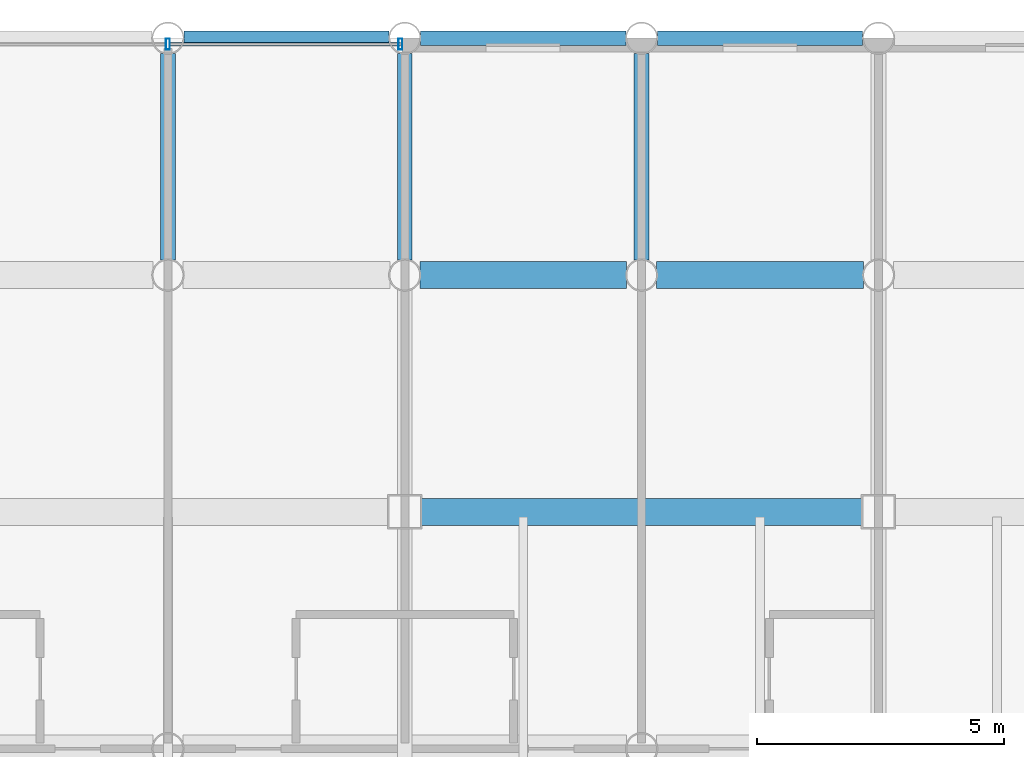
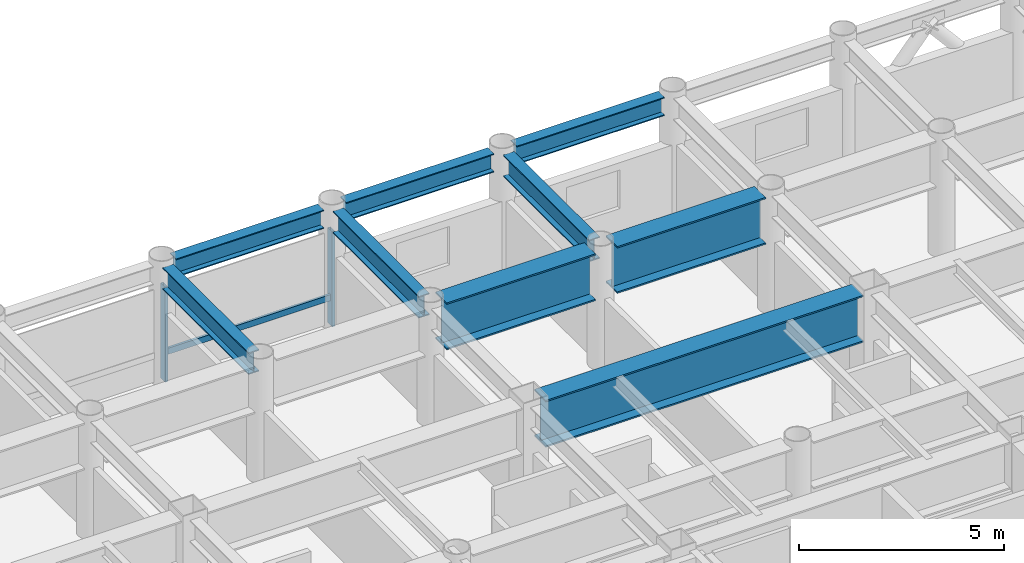
# One storey, part 13 of 23: 9 beams, 3 members, 1 element without a shape of its own.
"""IFC4 building model written with IfcOpenShell, lengths in metres."""

import ifcopenshell
import ifcopenshell.guid

model = None  # the IFC model being written
_history = None  # IfcOwnerHistory: only IFC2X3 demands one
_inside = {}  # id of a spatial element -> (the spatial element, [elements in it])
_under = {}  # id of a project, library or spatial element -> (it, [spatial elements below it])
_declared = {}  # id of a project -> (the project, [libraries it declares])
_typed = {}  # id of a type object -> (the type object, [elements of that type])
_made_of = {}  # id of a material, layer set ... -> (it, [elements and type objects made of it])


def new_model(schema):
    """Start an empty IFC model of exactly this schema.

    Asked for "IFC4X3", IfcOpenShell would pick the latest addendum, in which some entities
    have other attributes; the version numbers below select the first issue.
    IFC2X3 requires an IfcOwnerHistory on every rooted entity: one is made here for all.
    """
    global model, _history
    if schema == "IFC4X3":
        model = ifcopenshell.file(schema_version=(4, 3, 0, 0))
    else:
        model = ifcopenshell.file(schema=schema)
    _inside.clear()
    _under.clear()
    _declared.clear()
    _typed.clear()
    _made_of.clear()
    _history = None
    if model.schema == "IFC2X3":
        org = make("IfcOrganization", Name="unknown")
        user = make(
            "IfcPersonAndOrganization",
            ThePerson=make("IfcPerson", FamilyName="unknown"),
            TheOrganization=org,
        )
        app = make(
            "IfcApplication",
            ApplicationDeveloper=org,
            Version="unknown",
            ApplicationFullName="unknown",
            ApplicationIdentifier="unknown",
        )
        _history = make(
            "IfcOwnerHistory",
            OwningUser=user,
            OwningApplication=app,
            ChangeAction="ADDED",
            CreationDate=0,
        )
    return model


def make(cls, **values):
    """One entity of the class cls with the attributes given. An attribute that is None is left unset."""
    return model.create_entity(
        cls, **{name: value for name, value in values.items() if value is not None}
    )


def rooted(cls, **values):
    """An entity with a GlobalId (a new one), such as an element, a storey or a relation."""
    return make(cls, GlobalId=ifcopenshell.guid.new(), OwnerHistory=_history, **values)


def si_unit(unit_type, name, prefix=None):
    """IfcSIUnit, for example si_unit("LENGTHUNIT", "METRE", prefix="MILLI")."""
    return make("IfcSIUnit", UnitType=unit_type, Prefix=prefix, Name=name)


def assignment(units):
    """IfcUnitAssignment: the units of a project."""
    return None if units is None else make("IfcUnitAssignment", Units=units)


def point(xyz):
    """IfcCartesianPoint."""
    return None if xyz is None else make("IfcCartesianPoint", Coordinates=xyz)


def direction(xyz):
    """IfcDirection."""
    return None if xyz is None else make("IfcDirection", DirectionRatios=xyz)


def frame(location, z_axis=None, x_axis=None):
    """IfcAxis2Placement3D, a coordinate frame: its origin and axes. An axis left out is left unset."""
    return make(
        "IfcAxis2Placement3D",
        Location=point(location),
        Axis=direction(z_axis),
        RefDirection=direction(x_axis),
    )


def frame_2d(location, x_axis=None):
    """IfcAxis2Placement2D, a coordinate frame in the plane: its origin and x axis."""
    return make(
        "IfcAxis2Placement2D", Location=point(location), RefDirection=direction(x_axis)
    )


def origin():
    """The frame at (0, 0, 0) with its axes left unset."""
    return frame((0.0, 0.0, 0.0))


def origin_2d():
    """The frame at (0, 0) in the plane with its x axis left unset."""
    return frame_2d((0.0, 0.0))


def place(relative_to, where):
    """IfcLocalPlacement: puts the frame where relative to a parent placement (None: the world)."""
    return make(
        "IfcLocalPlacement", PlacementRelTo=relative_to, RelativePlacement=where
    )


def context(
    kind, dimensions, precision=None, world=None, true_north=None, identifier=None
):
    """IfcGeometricRepresentationContext, for example the 3D "Model" context."""
    return make(
        "IfcGeometricRepresentationContext",
        ContextIdentifier=identifier,
        ContextType=kind,
        CoordinateSpaceDimension=dimensions,
        Precision=precision,
        WorldCoordinateSystem=world,
        TrueNorth=true_north,
    )


def subcontext(parent, identifier, kind, view, scale=None):
    """IfcGeometricRepresentationSubContext, for example "Body" below "Model"."""
    return make(
        "IfcGeometricRepresentationSubContext",
        ContextIdentifier=identifier,
        ContextType=kind,
        ParentContext=parent,
        TargetScale=scale,
        TargetView=view,
    )


def project(units=None, contexts=None):
    """IfcProject with its units and contexts."""
    return rooted(
        "IfcProject",
        Name="project",
        RepresentationContexts=contexts,
        UnitsInContext=assignment(units),
    )


def spatial(cls, under=None, at=None, **own):
    """A site, building, storey or space (cls), placed at a placement, below another one or the project."""
    s = rooted(cls, ObjectPlacement=at, **own)
    if under is not None:
        _under.setdefault(under.id(), (under, []))[1].append(s)
    return s


def profile(cls, at=None, kind="AREA", **sizes):
    """A parametric profile (cls). Its sizes go by their IFC names, for example OverallWidth=200.0."""
    return make(cls, ProfileType=kind, Position=at, **sizes)


def hollow_rectangle(**sizes):
    """IfcRectangleHollowProfileDef."""
    return profile("IfcRectangleHollowProfileDef", **sizes)


def i_section(**sizes):
    """IfcIShapeProfileDef."""
    return profile("IfcIShapeProfileDef", **sizes)


def extrude(swept, where, along, depth):
    """IfcExtrudedAreaSolid: the profile swept, set in the frame where, extruded along a direction by depth."""
    return make(
        "IfcExtrudedAreaSolid",
        SweptArea=swept,
        Position=where,
        ExtrudedDirection=direction(along),
        Depth=depth,
    )


def shape(context_of_items, identifier, shape_type, items):
    """IfcShapeRepresentation: the items that make up one representation, for example the "Body"."""
    return make(
        "IfcShapeRepresentation",
        ContextOfItems=context_of_items,
        RepresentationIdentifier=identifier,
        RepresentationType=shape_type,
        Items=items,
    )


def material(Name=None, Category=None):
    """IfcMaterial."""
    return make("IfcMaterial", Name=Name, Category=Category)


def layer(
    of_material, thickness, ventilated=None, Name=None, Category=None, Priority=None
):
    """IfcMaterialLayer: one layer of a wall or slab, of a material (None: an air gap)."""
    return make(
        "IfcMaterialLayer",
        Material=of_material,
        LayerThickness=thickness,
        IsVentilated=ventilated,
        Name=Name,
        Category=Category,
        Priority=Priority,
    )


def layer_set(layers, Name=None):
    """IfcMaterialLayerSet."""
    return make("IfcMaterialLayerSet", MaterialLayers=layers, LayerSetName=Name)


def material_profile(
    of_material, cross_section, Name=None, Category=None, Priority=None
):
    """IfcMaterialProfile: a cross section and its material."""
    return make(
        "IfcMaterialProfile",
        Name=Name,
        Material=of_material,
        Profile=cross_section,
        Priority=Priority,
        Category=Category,
    )


def profile_set(profiles, Name=None, composite=None):
    """IfcMaterialProfileSet."""
    return make(
        "IfcMaterialProfileSet",
        Name=Name,
        MaterialProfiles=profiles,
        CompositeProfile=composite,
    )


def made_of(thing, what):
    """Note that an element or type object is made of a material, layer set ...; save() writes the relation."""
    if what is not None:
        _made_of.setdefault(what.id(), (what, []))[1].append(thing)
    return thing


def type_object(cls, material=None, **own):
    """A type object (cls), such as IfcWallType, which elements share."""
    return made_of(rooted(cls, **own), material)


def element(
    cls,
    number,
    at=None,
    inside=None,
    cuts=None,
    type_object=None,
    material=None,
    context=None,
    identifier="Body",
    shape_type=None,
    held_by="IfcProductDefinitionShape",
    body=None,
    shapes=None,
    **own,
):
    """One element of the class cls, such as IfcWall. Its Tag is "e" and its number.

    at: its placement. inside: the storey or other place that contains it. cuts: it is an
    opening in that element (IfcRelVoidsElement). A single representation is given by context,
    identifier, shape_type and body (its items); several are given by shapes. held_by: the class
    of the entity that holds the representations. save() writes the other relations.
    """
    e = rooted(cls, Tag="e%d" % number, ObjectPlacement=at, **own)
    if body is not None:
        shapes = [shape(context, identifier, shape_type, body)]
    if shapes is not None:
        e.Representation = make(held_by, Representations=shapes)
    if inside is not None:
        _inside.setdefault(inside.id(), (inside, []))[1].append(e)
    if cuts is not None:
        rooted(
            "IfcRelVoidsElement", RelatingBuildingElement=cuts, RelatedOpeningElement=e
        )
    if type_object is not None:
        _typed.setdefault(type_object.id(), (type_object, []))[1].append(e)
    return made_of(e, material)


def aggregate(whole, parts):
    """IfcRelAggregates: a whole, such as a stair, and the parts it consists of."""
    return rooted("IfcRelAggregates", RelatingObject=whole, RelatedObjects=parts)


def save(model, path):
    """Write the relations noted so far, then the file.

    IfcRelAggregates (storeys below a building ...), IfcRelContainedInSpatialStructure (elements
    in a storey), IfcRelDefinesByType, IfcRelAssociatesMaterial and IfcRelDeclares: one each for
    every whole, place, type object, material and project.
    """
    for whole, parts in _under.values():
        aggregate(whole, parts)
    for where, things in _inside.values():
        rooted(
            "IfcRelContainedInSpatialStructure",
            RelatedElements=things,
            RelatingStructure=where,
        )
    for kind, things in _typed.values():
        rooted("IfcRelDefinesByType", RelatedObjects=things, RelatingType=kind)
    for what, things in _made_of.values():
        rooted("IfcRelAssociatesMaterial", RelatedObjects=things, RelatingMaterial=what)
    for by, libraries in _declared.values():
        rooted("IfcRelDeclares", RelatingContext=by, RelatedDefinitions=libraries)
    model.write(path)


model = new_model("IFC4")

# Units and contexts
model_context = context("Model", 3, precision=1e-05, world=origin(), true_north=direction((0.0, 1.0)))
body_context = subcontext(model_context, "Body", "Model", "MODEL_VIEW")
ifc_project = project(units=[si_unit("LENGTHUNIT", "METRE"), si_unit("AREAUNIT", "SQUARE_METRE"), si_unit("VOLUMEUNIT", "CUBIC_METRE"), si_unit("PLANEANGLEUNIT", "RADIAN"), si_unit("MASSUNIT", "GRAM", prefix="KILO")], contexts=[model_context])

# Site, building, storey
site_placement = place(None, origin())
site = spatial("IfcSite", under=ifc_project, at=site_placement, CompositionType="ELEMENT")
building_placement = place(site_placement, origin())
building = spatial("IfcBuilding", under=site, at=building_placement, Name="Kallvorn Hotel Tower", CompositionType="ELEMENT")
storey_placement = place(building_placement, frame((0.0, 0.0, 124.800048828125)))
storey = spatial("IfcBuildingStorey", under=building, at=storey_placement, Name="L30", CompositionType="ELEMENT", Elevation=124.800048828125)

# Beams
ifc_material_1 = material(Name="Structural steel S355JR", Category="steel")
ifc_material_profile_1 = material_profile(ifc_material_1, i_section(OverallWidth=0.300048828125, OverallDepth=0.550048828125, WebThickness=0.014892578125, FlangeThickness=0.029052734375, at=origin_2d()), Name="HE 550 B")
ifc_profile_set_1 = profile_set([ifc_material_profile_1], Name="Structural steel S355JR")
beam_type_1 = type_object("IfcBeamType", Name="BM_HE550B", PredefinedType="SPANDREL", material=ifc_profile_set_1)
for number, where, z_axis, x_axis, name in (
    (1, (0.320068359375, 24.0, 3.244873046875), (1.0, 0.0, 0.0), (0.0, 1.0, 0.0), "L31 Perimeter Spandrel 169"),
    (2, (5.1201171875, 24.0, 3.244873046875), (1.0, 0.0, 0.0), (0.0, 1.0, 0.0), "L31 Perimeter Spandrel 170"),
):
    element("IfcBeam", number, at=place(storey_placement, frame(where, z_axis=z_axis, x_axis=x_axis)), inside=storey, type_object=beam_type_1, Name=name, PredefinedType="SPANDREL", context=body_context, shape_type="SweptSolid", body=[
        extrude(i_section(OverallWidth=0.300048828125, OverallDepth=0.550048828125, WebThickness=0.014892578125, FlangeThickness=0.029052734375, at=origin_2d()), origin(), (0.0, 0.0, 1.0), 4.159912109375),
    ])
beam_1_placement = place(storey_placement, frame((9.919921875, 24.0, 3.244873046875), z_axis=(1.0, 0.0, 0.0), x_axis=(0.0, 1.0, 0.0)))
element("IfcBeam", 3, at=beam_1_placement, inside=storey, type_object=beam_type_1, Name="L31 Perimeter Spandrel 171", PredefinedType="SPANDREL", context=body_context, shape_type="SweptSolid", body=[
    extrude(i_section(OverallWidth=0.300048828125, OverallDepth=0.550048828125, WebThickness=0.014892578125, FlangeThickness=0.029052734375, at=origin_2d()), origin(), (0.0, 0.0, 1.0), 4.16015625),
])
ifc_material_2 = material(Name="Structural steel S355JR", Category="steel")
ifc_material_profile_2 = material_profile(ifc_material_2, i_section(OverallWidth=0.300048828125, OverallDepth=0.64990234375, WebThickness=0.01611328125, FlangeThickness=0.031005859375, at=origin_2d()), Name="HE 650 B")
ifc_profile_set_2 = profile_set([ifc_material_profile_2], Name="Structural steel S355JR")
beam_type_2 = type_object("IfcBeamType", Name="BM_HE650B", PredefinedType="BEAM", material=ifc_profile_set_2)
for number, where, z_axis, x_axis, name in (
    (4, (0.0, 19.5048828125, 3.195068359375), (0.0, 1.0, 0.0), (-1.0, 0.0, 0.0), "L31 Primary Y-Girder 113"),
    (5, (4.800048828125, 19.5048828125, 3.195068359375), (0.0, 1.0, 0.0), (-1.0, 0.0, 0.0), "L31 Primary Y-Girder 118"),
    (6, (9.60009765625, 19.5048828125, 3.195068359375), (0.0, 1.0, 0.0), (-1.0, 0.0, 0.0), "L31 Primary Y-Girder 121"),
):
    element("IfcBeam", number, at=place(storey_placement, frame(where, z_axis=z_axis, x_axis=x_axis)), inside=storey, type_object=beam_type_2, Name=name, PredefinedType="BEAM", context=body_context, shape_type="SweptSolid", body=[
        extrude(i_section(OverallWidth=0.300048828125, OverallDepth=0.64990234375, WebThickness=0.01611328125, FlangeThickness=0.031005859375, at=origin_2d()), origin(), (0.0, 0.0, 1.0), 4.190185546875),
    ])
ifc_material_3 = material(Name="Structural steel S355JR", Category="steel")
ifc_material_profile_3 = material_profile(ifc_material_3, i_section(OverallWidth=0.550048828125, OverallDepth=1.39990234375, WebThickness=0.02490234375, FlangeThickness=0.044921875, at=origin_2d()), Name="PG 1400x550x25x45")
ifc_profile_set_3 = profile_set([ifc_material_profile_3], Name="Structural steel S355JR")
beam_type_3 = type_object("IfcBeamType", Name="BM_PG_1400", PredefinedType="BEAM", material=ifc_profile_set_3)
beam_2_placement = place(storey_placement, frame((5.125, 14.39990234375, 2.820068359375), z_axis=(1.0, 0.0, 0.0), x_axis=(0.0, 1.0, 0.0)))
element("IfcBeam", 7, at=beam_2_placement, inside=storey, type_object=beam_type_3, Name="L31 Primary X-Girder 56", PredefinedType="BEAM", context=body_context, shape_type="SweptSolid", body=[
    extrude(i_section(OverallWidth=0.550048828125, OverallDepth=1.39990234375, WebThickness=0.02490234375, FlangeThickness=0.044921875, at=origin_2d()), origin(), (0.0, 0.0, 1.0), 8.949951171875),
])
for number, where, z_axis, x_axis, name in (
    (8, (5.10498046875, 19.199951171875, 2.820068359375), (1.0, 0.0, 0.0), (0.0, 1.0, 0.0), "L31 Primary X-Girder 68"),
    (9, (9.905029296875, 19.199951171875, 2.820068359375), (1.0, 0.0, 0.0), (0.0, 1.0, 0.0), "L31 Primary X-Girder 69"),
):
    element("IfcBeam", number, at=place(storey_placement, frame(where, z_axis=z_axis, x_axis=x_axis)), inside=storey, type_object=beam_type_3, Name=name, PredefinedType="BEAM", context=body_context, shape_type="SweptSolid", body=[
        extrude(i_section(OverallWidth=0.550048828125, OverallDepth=1.39990234375, WebThickness=0.02490234375, FlangeThickness=0.044921875, at=origin_2d()), origin(), (0.0, 0.0, 1.0), 4.18994140625),
    ])

# Curtain wall, members
ifc_material_4 = material(Name="Thermally broken black-anodised aluminium AA 6063-T6", Category="aluminium")
ifc_layer = layer(ifc_material_4, 0.2099609375)
ifc_layer_set = layer_set([ifc_layer], Name="CW_SYS_4_HOTEL_MID")
curtain_wall_type = type_object("IfcCurtainWallType", Name="CW_SYS_4_HOTEL_MID", PredefinedType="USERDEFINED", material=ifc_layer_set)
curtain_wall_placement = place(storey_placement, origin())
curtain_wall = element("IfcCurtainWall", 10, at=curtain_wall_placement, inside=storey, type_object=curtain_wall_type, Name="L30 Dark-Glass Curtain Wall CW-L30-NC", ObjectType="UNITISED CURTAIN WALL", PredefinedType="USERDEFINED")
ifc_material_5 = material(Name="Thermally broken black-anodised aluminium AA 6063-T6", Category="aluminium")
ifc_material_profile_4 = material_profile(ifc_material_5, hollow_rectangle(XDim=0.080078125, YDim=0.219970703125, WallThickness=0.0048828125, at=origin_2d()), Name="MUL 220x80")
ifc_profile_set_4 = profile_set([ifc_material_profile_4], Name="Thermally broken black-anodised aluminium AA 6063-T6")
member_type_1 = type_object("IfcMemberType", Name="CW_MULLION_220x80", PredefinedType="MULLION", material=ifc_profile_set_4)
member_1_placement = place(storey_placement, frame((0.0, 23.8798828125, 0.02001953125), z_axis=(0.0, 0.0, 1.0), x_axis=(1.0, 0.0, 0.0)))
member_1 = element("IfcMember", 11, at=member_1_placement, type_object=member_type_1, Name="CW-L30-NC Mullion 01", PredefinedType="MULLION", context=body_context, shape_type="SweptSolid", body=[
    extrude(hollow_rectangle(XDim=0.080078125, YDim=0.219970703125, WallThickness=0.0048828125, at=origin_2d()), origin(), (0.0, 0.0, 1.0), 2.829833984375),
])
member_2_placement = place(storey_placement, frame((4.7099609375, 23.8798828125, 0.02001953125), z_axis=(0.0, 0.0, 1.0), x_axis=(1.0, 0.0, 0.0)))
member_2 = element("IfcMember", 12, at=member_2_placement, type_object=member_type_1, Name="CW-L30-NC Mullion 02", PredefinedType="MULLION", context=body_context, shape_type="SweptSolid", body=[
    extrude(hollow_rectangle(XDim=0.080078125, YDim=0.219970703125, WallThickness=0.0048828125, at=origin_2d()), origin(), (0.0, 0.0, 1.0), 2.829833984375),
])
ifc_material_6 = material(Name="Thermally broken black-anodised aluminium AA 6063-T6", Category="aluminium")
ifc_material_profile_5 = material_profile(ifc_material_6, hollow_rectangle(XDim=0.070068359375, YDim=0.179931640625, WallThickness=0.00390625, at=origin_2d()), Name="TRN 180x70")
ifc_profile_set_5 = profile_set([ifc_material_profile_5], Name="Thermally broken black-anodised aluminium AA 6063-T6")
member_type_2 = type_object("IfcMemberType", Name="CW_TRANSOM_180x70", PredefinedType="USERDEFINED", material=ifc_profile_set_5)
member_3_placement = place(storey_placement, frame((0.0400390625, 23.8798828125, 0.849853515625), z_axis=(1.0, 0.0, 0.0), x_axis=(0.0, 1.0, 0.0)))
member_3 = element("IfcMember", 13, at=member_3_placement, type_object=member_type_2, Name="CW-L30-NC Transom 01M", ObjectType="TRANSOM", PredefinedType="USERDEFINED", context=body_context, shape_type="SweptSolid", body=[
    extrude(hollow_rectangle(XDim=0.070068359375, YDim=0.179931640625, WallThickness=0.00390625, at=origin_2d()), origin(), (0.0, 0.0, 1.0), 4.669921875),
])
aggregate(curtain_wall, [member_1, member_2, member_3])

save(model, "model.ifc")
